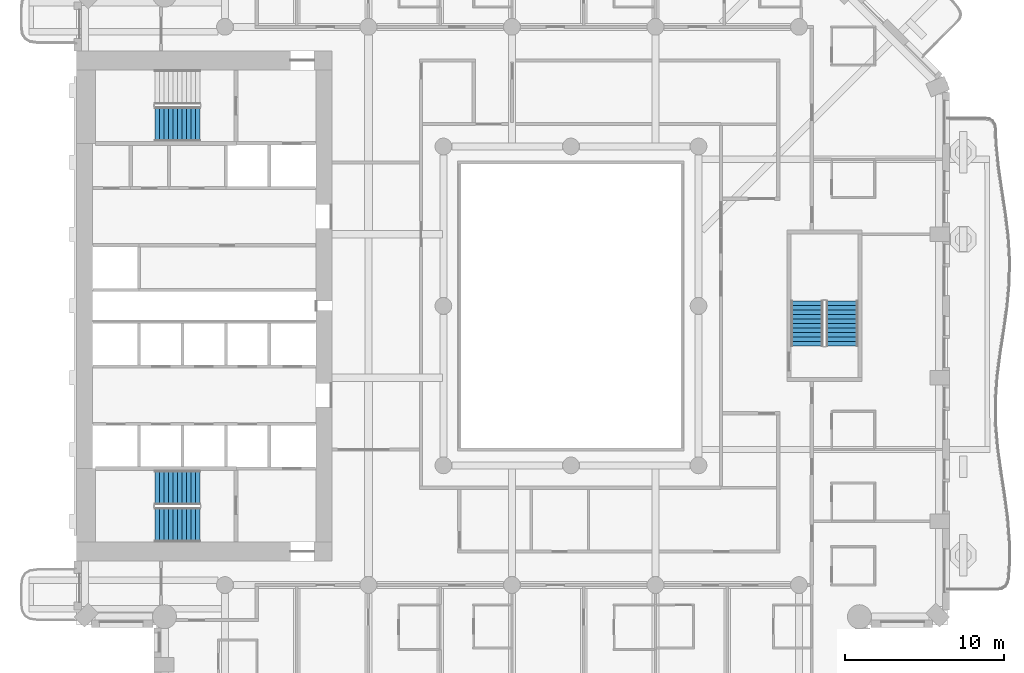
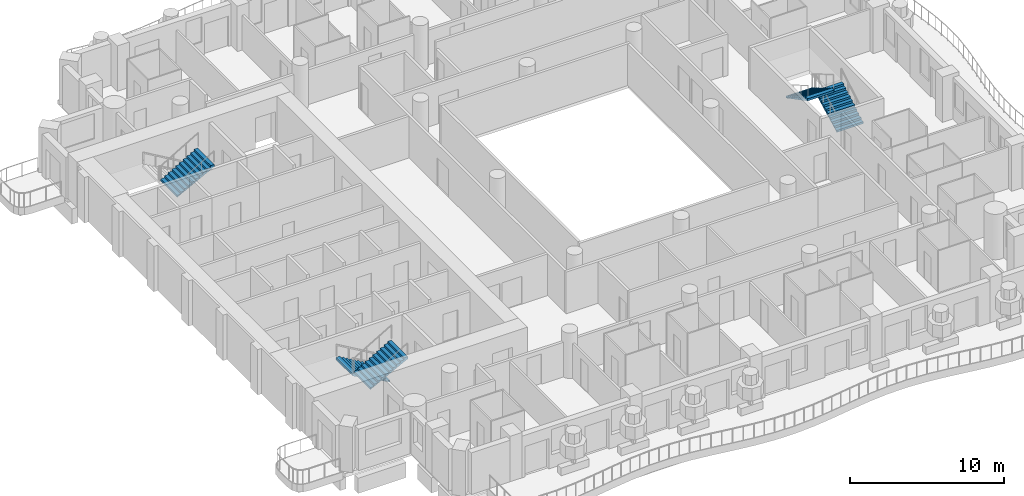
# One storey, part 11 of 20: 5 stair flights, 3 elements without a shape of their own.
"""IFC4 building model written with IfcOpenShell, lengths in metres."""

import ifcopenshell
import ifcopenshell.guid

model = None  # the IFC model being written
_history = None  # IfcOwnerHistory: only IFC2X3 demands one
_inside = {}  # id of a spatial element -> (the spatial element, [elements in it])
_under = {}  # id of a project, library or spatial element -> (it, [spatial elements below it])
_declared = {}  # id of a project -> (the project, [libraries it declares])
_typed = {}  # id of a type object -> (the type object, [elements of that type])
_made_of = {}  # id of a material, layer set ... -> (it, [elements and type objects made of it])


def new_model(schema):
    """Start an empty IFC model of exactly this schema.

    Asked for "IFC4X3", IfcOpenShell would pick the latest addendum, in which some entities
    have other attributes; the version numbers below select the first issue.
    IFC2X3 requires an IfcOwnerHistory on every rooted entity: one is made here for all.
    """
    global model, _history
    if schema == "IFC4X3":
        model = ifcopenshell.file(schema_version=(4, 3, 0, 0))
    else:
        model = ifcopenshell.file(schema=schema)
    _inside.clear()
    _under.clear()
    _declared.clear()
    _typed.clear()
    _made_of.clear()
    _history = None
    if model.schema == "IFC2X3":
        org = make("IfcOrganization", Name="unknown")
        user = make(
            "IfcPersonAndOrganization",
            ThePerson=make("IfcPerson", FamilyName="unknown"),
            TheOrganization=org,
        )
        app = make(
            "IfcApplication",
            ApplicationDeveloper=org,
            Version="unknown",
            ApplicationFullName="unknown",
            ApplicationIdentifier="unknown",
        )
        _history = make(
            "IfcOwnerHistory",
            OwningUser=user,
            OwningApplication=app,
            ChangeAction="ADDED",
            CreationDate=0,
        )
    return model


def make(cls, **values):
    """One entity of the class cls with the attributes given. An attribute that is None is left unset."""
    return model.create_entity(
        cls, **{name: value for name, value in values.items() if value is not None}
    )


def rooted(cls, **values):
    """An entity with a GlobalId (a new one), such as an element, a storey or a relation."""
    return make(cls, GlobalId=ifcopenshell.guid.new(), OwnerHistory=_history, **values)


def si_unit(unit_type, name, prefix=None):
    """IfcSIUnit, for example si_unit("LENGTHUNIT", "METRE", prefix="MILLI")."""
    return make("IfcSIUnit", UnitType=unit_type, Prefix=prefix, Name=name)


def assignment(units):
    """IfcUnitAssignment: the units of a project."""
    return None if units is None else make("IfcUnitAssignment", Units=units)


def point(xyz):
    """IfcCartesianPoint."""
    return None if xyz is None else make("IfcCartesianPoint", Coordinates=xyz)


def direction(xyz):
    """IfcDirection."""
    return None if xyz is None else make("IfcDirection", DirectionRatios=xyz)


def frame(location, z_axis=None, x_axis=None):
    """IfcAxis2Placement3D, a coordinate frame: its origin and axes. An axis left out is left unset."""
    return make(
        "IfcAxis2Placement3D",
        Location=point(location),
        Axis=direction(z_axis),
        RefDirection=direction(x_axis),
    )


def origin():
    """The frame at (0, 0, 0) with its axes left unset."""
    return frame((0.0, 0.0, 0.0))


def place(relative_to, where):
    """IfcLocalPlacement: puts the frame where relative to a parent placement (None: the world)."""
    return make(
        "IfcLocalPlacement", PlacementRelTo=relative_to, RelativePlacement=where
    )


def context(
    kind, dimensions, precision=None, world=None, true_north=None, identifier=None
):
    """IfcGeometricRepresentationContext, for example the 3D "Model" context."""
    return make(
        "IfcGeometricRepresentationContext",
        ContextIdentifier=identifier,
        ContextType=kind,
        CoordinateSpaceDimension=dimensions,
        Precision=precision,
        WorldCoordinateSystem=world,
        TrueNorth=true_north,
    )


def subcontext(parent, identifier, kind, view, scale=None):
    """IfcGeometricRepresentationSubContext, for example "Body" below "Model"."""
    return make(
        "IfcGeometricRepresentationSubContext",
        ContextIdentifier=identifier,
        ContextType=kind,
        ParentContext=parent,
        TargetScale=scale,
        TargetView=view,
    )


def project(units=None, contexts=None):
    """IfcProject with its units and contexts."""
    return rooted(
        "IfcProject",
        Name="project",
        RepresentationContexts=contexts,
        UnitsInContext=assignment(units),
    )


def spatial(cls, under=None, at=None, **own):
    """A site, building, storey or space (cls), placed at a placement, below another one or the project."""
    s = rooted(cls, ObjectPlacement=at, **own)
    if under is not None:
        _under.setdefault(under.id(), (under, []))[1].append(s)
    return s


def point_list(points):
    """IfcCartesianPointList2D or 3D."""
    cls = (
        "IfcCartesianPointList2D" if len(points[0]) == 2 else "IfcCartesianPointList3D"
    )
    return make(cls, CoordList=points)


def triangles(points, corners, closed=None, point_numbers=None):
    """IfcTriangulatedFaceSet: each triangle names its three corners, points numbered from 1."""
    return make(
        "IfcTriangulatedFaceSet",
        Coordinates=point_list(points),
        Closed=closed,
        CoordIndex=corners,
        PnIndex=point_numbers,
    )


def shape(context_of_items, identifier, shape_type, items):
    """IfcShapeRepresentation: the items that make up one representation, for example the "Body"."""
    return make(
        "IfcShapeRepresentation",
        ContextOfItems=context_of_items,
        RepresentationIdentifier=identifier,
        RepresentationType=shape_type,
        Items=items,
    )


def material(Name=None, Category=None):
    """IfcMaterial."""
    return make("IfcMaterial", Name=Name, Category=Category)


def made_of(thing, what):
    """Note that an element or type object is made of a material, layer set ...; save() writes the relation."""
    if what is not None:
        _made_of.setdefault(what.id(), (what, []))[1].append(thing)
    return thing


def type_object(cls, material=None, **own):
    """A type object (cls), such as IfcWallType, which elements share."""
    return made_of(rooted(cls, **own), material)


def element(
    cls,
    number,
    at=None,
    inside=None,
    cuts=None,
    type_object=None,
    material=None,
    context=None,
    identifier="Body",
    shape_type=None,
    held_by="IfcProductDefinitionShape",
    body=None,
    shapes=None,
    **own,
):
    """One element of the class cls, such as IfcWall. Its Tag is "e" and its number.

    at: its placement. inside: the storey or other place that contains it. cuts: it is an
    opening in that element (IfcRelVoidsElement). A single representation is given by context,
    identifier, shape_type and body (its items); several are given by shapes. held_by: the class
    of the entity that holds the representations. save() writes the other relations.
    """
    e = rooted(cls, Tag="e%d" % number, ObjectPlacement=at, **own)
    if body is not None:
        shapes = [shape(context, identifier, shape_type, body)]
    if shapes is not None:
        e.Representation = make(held_by, Representations=shapes)
    if inside is not None:
        _inside.setdefault(inside.id(), (inside, []))[1].append(e)
    if cuts is not None:
        rooted(
            "IfcRelVoidsElement", RelatingBuildingElement=cuts, RelatedOpeningElement=e
        )
    if type_object is not None:
        _typed.setdefault(type_object.id(), (type_object, []))[1].append(e)
    return made_of(e, material)


def aggregate(whole, parts):
    """IfcRelAggregates: a whole, such as a stair, and the parts it consists of."""
    return rooted("IfcRelAggregates", RelatingObject=whole, RelatedObjects=parts)


def save(model, path):
    """Write the relations noted so far, then the file.

    IfcRelAggregates (storeys below a building ...), IfcRelContainedInSpatialStructure (elements
    in a storey), IfcRelDefinesByType, IfcRelAssociatesMaterial and IfcRelDeclares: one each for
    every whole, place, type object, material and project.
    """
    for whole, parts in _under.values():
        aggregate(whole, parts)
    for where, things in _inside.values():
        rooted(
            "IfcRelContainedInSpatialStructure",
            RelatedElements=things,
            RelatingStructure=where,
        )
    for kind, things in _typed.values():
        rooted("IfcRelDefinesByType", RelatedObjects=things, RelatingType=kind)
    for what, things in _made_of.values():
        rooted("IfcRelAssociatesMaterial", RelatedObjects=things, RelatingMaterial=what)
    for by, libraries in _declared.values():
        rooted("IfcRelDeclares", RelatingContext=by, RelatedDefinitions=libraries)
    model.write(path)


model = new_model("IFC4")

# Units and contexts
model_context = context("Model", 3, precision=1e-05, world=origin(), true_north=direction((0.0, 1.0)))
body_context = subcontext(model_context, "Body", "Model", "MODEL_VIEW")
ifc_project = project(units=[si_unit("LENGTHUNIT", "METRE"), si_unit("AREAUNIT", "SQUARE_METRE"), si_unit("VOLUMEUNIT", "CUBIC_METRE"), si_unit("PLANEANGLEUNIT", "RADIAN"), si_unit("MASSUNIT", "GRAM", prefix="KILO")], contexts=[model_context])

# Site, building, storey
site_placement = place(None, origin())
site = spatial("IfcSite", under=ifc_project, at=site_placement, CompositionType="ELEMENT")
building_placement = place(site_placement, origin())
building = spatial("IfcBuilding", under=site, at=building_placement, Name="Cypress Arch Tower", CompositionType="ELEMENT")
storey_placement = place(building_placement, frame((0.0, 0.0, 116.699951171875)))
storey = spatial("IfcBuildingStorey", under=building, at=storey_placement, Name="L24", CompositionType="ELEMENT", Elevation=116.699951171875)

# Stair, stair flights
ifc_material_1 = material(Name="Concrete C40/50", Category="concrete")
stair_type_1 = type_object("IfcStairType", Name="Exit stair ES1636-200", PredefinedType="HALF_TURN_STAIR", material=ifc_material_1)
stair_1_placement = place(storey_placement, origin())
stair_1 = element("IfcStair", 1, at=stair_1_placement, inside=storey, type_object=stair_type_1, Name="L24 Exit stair C", PredefinedType="HALF_TURN_STAIR")
ifc_material_2 = material(Name="Concrete C40/50", Category="concrete")
stair_flight_type_1 = type_object("IfcStairFlightType", Name="Exit stair flight ES1636-200", PredefinedType="STRAIGHT", material=ifc_material_2)
stair_flight_1_placement = place(storey_placement, frame((18.0, -2.5, 0.0), z_axis=(0.0, 0.0, 1.0), x_axis=(0.0, 1.0, 0.0)))
stair_flight_1 = element("IfcStairFlight", 2, at=stair_flight_1_placement, type_object=stair_flight_type_1, Name="C flight 1", NumberOfRisers=11, NumberOfTreads=10, PredefinedType="STRAIGHT", RiserHeight=0.163636364, TreadLength=0.28, context=body_context, shape_type="Tessellation", body=[
    triangles([(0.0, -1.0, 0.0), (0.00048828125, -1.0, 0.054443359375), (0.00048828125, -1.0, 0.109130859375), (0.0, -1.0, 0.16357421875), (0.280029296875, -1.0, 0.16357421875), (0.280029296875, -1.0, 0.327392578125), (0.56005859375, -1.0, 0.327392578125), (0.56005859375, -1.0, 0.490966796875), (0.840087890625, -1.0, 0.490966796875), (0.840087890625, -1.0, 0.654541015625), (1.1201171875, -1.0, 0.654541015625), (1.1201171875, -1.0, 0.818115234375), (1.39990234375, -1.0, 0.818115234375), (1.39990234375, -1.0, 0.98193359375), (1.679931640625, -1.0, 0.98193359375), (1.679931640625, -1.0, 1.1455078125), (1.9599609375, -1.0, 1.1455078125), (1.9599609375, -1.0, 1.30908203125), (2.239990234375, -1.0, 1.30908203125), (2.239990234375, -1.0, 1.47265625), (2.52001953125, -1.0, 1.47265625), (2.52001953125, -1.0, 1.636474609375), (2.800048828125, -1.0, 1.636474609375), (2.799560546875, -1.0, 1.57861328125), (2.799560546875, -1.0, 1.5205078125), (2.800048828125, -1.0, 1.462646484375), (2.800048828125, 1.0, 1.462646484375), (2.799560546875, 1.0, 1.5205078125), (2.799560546875, 1.0, 1.57861328125), (2.800048828125, 1.0, 1.636474609375), (2.52001953125, 1.0, 1.636474609375), (2.52001953125, 1.0, 1.47265625), (2.239990234375, 1.0, 1.47265625), (2.239990234375, 1.0, 1.30908203125), (1.9599609375, 1.0, 1.30908203125), (1.9599609375, 1.0, 1.1455078125), (1.679931640625, 1.0, 1.1455078125), (1.679931640625, 1.0, 0.98193359375), (1.39990234375, 1.0, 0.98193359375), (1.39990234375, 1.0, 0.818115234375), (1.1201171875, 1.0, 0.818115234375), (1.1201171875, 1.0, 0.654541015625), (0.840087890625, 1.0, 0.654541015625), (0.840087890625, 1.0, 0.490966796875), (0.56005859375, 1.0, 0.490966796875), (0.56005859375, 1.0, 0.327392578125), (0.280029296875, 1.0, 0.327392578125), (0.280029296875, 1.0, 0.16357421875), (0.0, 1.0, 0.16357421875), (0.00048828125, 1.0, 0.109130859375), (0.00048828125, 1.0, 0.054443359375), (0.0, 1.0, 0.0), (2.799560546875, 0.0, 1.5205078125), (2.800048828125, 0.0, 1.462646484375), (2.799560546875, 0.0, 1.57861328125), (2.800048828125, 0.0, 1.636474609375), (2.52001953125, 0.0, 1.636474609375), (2.52001953125, 0.0, 1.47265625), (2.239990234375, 0.0, 1.47265625), (2.239990234375, 0.0, 1.30908203125), (1.9599609375, 0.0, 1.30908203125), (1.9599609375, 0.0, 1.1455078125), (1.679931640625, 0.0, 1.1455078125), (1.679931640625, 0.0, 0.98193359375), (1.39990234375, 0.0, 0.98193359375), (1.39990234375, 0.0, 0.818115234375), (1.1201171875, 0.0, 0.818115234375), (1.1201171875, 0.0, 0.654541015625), (0.840087890625, 0.0, 0.654541015625), (0.840087890625, 0.0, 0.490966796875), (0.56005859375, 0.0, 0.490966796875), (0.56005859375, 0.0, 0.327392578125), (0.280029296875, 0.0, 0.327392578125), (0.280029296875, 0.0, 0.16357421875), (0.0, 0.0, 0.16357421875), (0.00048828125, 0.0, 0.109130859375), (0.00048828125, 0.0, 0.054443359375), (0.0, 0.0, 0.0)], [[26, 25, 22], [25, 24, 22], [24, 23, 22], [15, 14, 13], [7, 6, 5], [13, 12, 11], [21, 20, 19], [19, 18, 17], [17, 16, 15], [11, 10, 9], [9, 8, 7], [4, 3, 5], [3, 2, 5], [2, 1, 5], [26, 22, 21], [26, 21, 19], [26, 19, 17], [26, 17, 15], [26, 15, 13], [26, 13, 11], [26, 11, 9], [26, 9, 7], [26, 7, 5], [26, 5, 1], [27, 31, 28], [28, 31, 29], [29, 31, 30], [38, 40, 39], [46, 48, 47], [40, 42, 41], [32, 34, 33], [34, 36, 35], [36, 38, 37], [42, 44, 43], [44, 46, 45], [49, 48, 50], [50, 48, 51], [51, 48, 52], [27, 32, 31], [27, 34, 32], [27, 36, 34], [27, 38, 36], [27, 40, 38], [27, 42, 40], [27, 44, 42], [27, 46, 44], [27, 48, 46], [27, 52, 48], [54, 53, 25], [54, 25, 26], [27, 28, 53], [27, 53, 54], [53, 55, 24], [53, 24, 25], [28, 29, 55], [28, 55, 53], [55, 56, 23], [55, 23, 24], [29, 30, 56], [29, 56, 55], [56, 57, 22], [56, 22, 23], [30, 31, 57], [30, 57, 56], [57, 58, 21], [57, 21, 22], [31, 32, 58], [31, 58, 57], [58, 59, 20], [58, 20, 21], [32, 33, 59], [32, 59, 58], [59, 60, 19], [59, 19, 20], [33, 34, 60], [33, 60, 59], [60, 61, 18], [60, 18, 19], [34, 35, 61], [34, 61, 60], [61, 62, 17], [61, 17, 18], [35, 36, 62], [35, 62, 61], [62, 63, 16], [62, 16, 17], [36, 37, 63], [36, 63, 62], [63, 64, 15], [63, 15, 16], [37, 38, 64], [37, 64, 63], [64, 65, 14], [64, 14, 15], [38, 39, 65], [38, 65, 64], [65, 66, 13], [65, 13, 14], [39, 40, 66], [39, 66, 65], [66, 67, 12], [66, 12, 13], [40, 41, 67], [40, 67, 66], [67, 68, 11], [67, 11, 12], [41, 42, 68], [41, 68, 67], [68, 69, 10], [68, 10, 11], [42, 43, 69], [42, 69, 68], [69, 70, 9], [69, 9, 10], [43, 44, 70], [43, 70, 69], [70, 71, 8], [70, 8, 9], [44, 45, 71], [44, 71, 70], [71, 72, 7], [71, 7, 8], [45, 46, 72], [45, 72, 71], [72, 73, 6], [72, 6, 7], [46, 47, 73], [46, 73, 72], [73, 74, 5], [73, 5, 6], [47, 48, 74], [47, 74, 73], [74, 75, 4], [74, 4, 5], [48, 49, 75], [48, 75, 74], [75, 76, 3], [75, 3, 4], [49, 50, 76], [49, 76, 75], [76, 77, 2], [76, 2, 3], [50, 51, 77], [50, 77, 76], [77, 78, 1], [77, 1, 2], [51, 52, 78], [51, 78, 77], [78, 54, 26], [78, 26, 1], [52, 27, 54], [52, 54, 78]], closed=True),
])
stair_flight_2_placement = place(storey_placement, frame((15.800048828125, 0.300048828125, 1.800048828125), z_axis=(0.0, 0.0, 1.0), x_axis=(0.0, -1.0, 0.0)))
stair_flight_2 = element("IfcStairFlight", 3, at=stair_flight_2_placement, type_object=stair_flight_type_1, Name="C flight 2", NumberOfRisers=11, NumberOfTreads=10, PredefinedType="STRAIGHT", RiserHeight=0.163636364, TreadLength=0.28, context=body_context, shape_type="Tessellation", body=[
    triangles([(0.0, -1.0, 0.0), (0.00048828125, -1.0, 0.054443359375), (0.00048828125, -1.0, 0.109130859375), (0.0, -1.0, 0.16357421875), (0.280029296875, -1.0, 0.16357421875), (0.280029296875, -1.0, 0.327392578125), (0.56005859375, -1.0, 0.327392578125), (0.56005859375, -1.0, 0.490966796875), (0.840087890625, -1.0, 0.490966796875), (0.840087890625, -1.0, 0.654541015625), (1.1201171875, -1.0, 0.654541015625), (1.1201171875, -1.0, 0.818115234375), (1.39990234375, -1.0, 0.818115234375), (1.39990234375, -1.0, 0.98193359375), (1.679931640625, -1.0, 0.98193359375), (1.679931640625, -1.0, 1.1455078125), (1.9599609375, -1.0, 1.1455078125), (1.9599609375, -1.0, 1.30908203125), (2.239990234375, -1.0, 1.30908203125), (2.239990234375, -1.0, 1.47265625), (2.52001953125, -1.0, 1.47265625), (2.52001953125, -1.0, 1.636474609375), (2.800048828125, -1.0, 1.636474609375), (2.799560546875, -1.0, 1.57861328125), (2.799560546875, -1.0, 1.5205078125), (2.800048828125, -1.0, 1.462646484375), (2.800048828125, 1.0, 1.462646484375), (2.799560546875, 1.0, 1.5205078125), (2.799560546875, 1.0, 1.57861328125), (2.800048828125, 1.0, 1.636474609375), (2.52001953125, 1.0, 1.636474609375), (2.52001953125, 1.0, 1.47265625), (2.239990234375, 1.0, 1.47265625), (2.239990234375, 1.0, 1.30908203125), (1.9599609375, 1.0, 1.30908203125), (1.9599609375, 1.0, 1.1455078125), (1.679931640625, 1.0, 1.1455078125), (1.679931640625, 1.0, 0.98193359375), (1.39990234375, 1.0, 0.98193359375), (1.39990234375, 1.0, 0.818115234375), (1.1201171875, 1.0, 0.818115234375), (1.1201171875, 1.0, 0.654541015625), (0.840087890625, 1.0, 0.654541015625), (0.840087890625, 1.0, 0.490966796875), (0.56005859375, 1.0, 0.490966796875), (0.56005859375, 1.0, 0.327392578125), (0.280029296875, 1.0, 0.327392578125), (0.280029296875, 1.0, 0.16357421875), (0.0, 1.0, 0.16357421875), (0.00048828125, 1.0, 0.109130859375), (0.00048828125, 1.0, 0.054443359375), (0.0, 1.0, 0.0), (2.799560546875, 0.0, 1.5205078125), (2.800048828125, 0.0, 1.462646484375), (2.799560546875, 0.0, 1.57861328125), (2.800048828125, 0.0, 1.636474609375), (2.52001953125, 0.0, 1.636474609375), (2.52001953125, 0.0, 1.47265625), (2.239990234375, 0.0, 1.47265625), (2.239990234375, 0.0, 1.30908203125), (1.9599609375, 0.0, 1.30908203125), (1.9599609375, 0.0, 1.1455078125), (1.679931640625, 0.0, 1.1455078125), (1.679931640625, 0.0, 0.98193359375), (1.39990234375, 0.0, 0.98193359375), (1.39990234375, 0.0, 0.818115234375), (1.1201171875, 0.0, 0.818115234375), (1.1201171875, 0.0, 0.654541015625), (0.840087890625, 0.0, 0.654541015625), (0.840087890625, 0.0, 0.490966796875), (0.56005859375, 0.0, 0.490966796875), (0.56005859375, 0.0, 0.327392578125), (0.280029296875, 0.0, 0.327392578125), (0.280029296875, 0.0, 0.16357421875), (0.0, 0.0, 0.16357421875), (0.00048828125, 0.0, 0.109130859375), (0.00048828125, 0.0, 0.054443359375), (0.0, 0.0, 0.0)], [[26, 25, 22], [25, 24, 22], [24, 23, 22], [15, 14, 13], [7, 6, 5], [13, 12, 11], [21, 20, 19], [19, 18, 17], [17, 16, 15], [11, 10, 9], [9, 8, 7], [4, 3, 5], [3, 2, 5], [2, 1, 5], [26, 22, 21], [26, 21, 19], [26, 19, 17], [26, 17, 15], [26, 15, 13], [26, 13, 11], [26, 11, 9], [26, 9, 7], [26, 7, 5], [26, 5, 1], [27, 31, 28], [28, 31, 29], [29, 31, 30], [38, 40, 39], [46, 48, 47], [40, 42, 41], [32, 34, 33], [34, 36, 35], [36, 38, 37], [42, 44, 43], [44, 46, 45], [49, 48, 50], [50, 48, 51], [51, 48, 52], [27, 32, 31], [27, 34, 32], [27, 36, 34], [27, 38, 36], [27, 40, 38], [27, 42, 40], [27, 44, 42], [27, 46, 44], [27, 48, 46], [27, 52, 48], [54, 53, 25], [54, 25, 26], [27, 28, 53], [27, 53, 54], [53, 55, 24], [53, 24, 25], [28, 29, 55], [28, 55, 53], [55, 56, 23], [55, 23, 24], [29, 30, 56], [29, 56, 55], [56, 57, 22], [56, 22, 23], [30, 31, 57], [30, 57, 56], [57, 58, 21], [57, 21, 22], [31, 32, 58], [31, 58, 57], [58, 59, 20], [58, 20, 21], [32, 33, 59], [32, 59, 58], [59, 60, 19], [59, 19, 20], [33, 34, 60], [33, 60, 59], [60, 61, 18], [60, 18, 19], [34, 35, 61], [34, 61, 60], [61, 62, 17], [61, 17, 18], [35, 36, 62], [35, 62, 61], [62, 63, 16], [62, 16, 17], [36, 37, 63], [36, 63, 62], [63, 64, 15], [63, 15, 16], [37, 38, 64], [37, 64, 63], [64, 65, 14], [64, 14, 15], [38, 39, 65], [38, 65, 64], [65, 66, 13], [65, 13, 14], [39, 40, 66], [39, 66, 65], [66, 67, 12], [66, 12, 13], [40, 41, 67], [40, 67, 66], [67, 68, 11], [67, 11, 12], [41, 42, 68], [41, 68, 67], [68, 69, 10], [68, 10, 11], [42, 43, 69], [42, 69, 68], [69, 70, 9], [69, 9, 10], [43, 44, 70], [43, 70, 69], [70, 71, 8], [70, 8, 9], [44, 45, 71], [44, 71, 70], [71, 72, 7], [71, 7, 8], [45, 46, 72], [45, 72, 71], [72, 73, 6], [72, 6, 7], [46, 47, 73], [46, 73, 72], [73, 74, 5], [73, 5, 6], [47, 48, 74], [47, 74, 73], [74, 75, 4], [74, 4, 5], [48, 49, 75], [48, 75, 74], [75, 76, 3], [75, 3, 4], [49, 50, 76], [49, 76, 75], [76, 77, 2], [76, 2, 3], [50, 51, 77], [50, 77, 76], [77, 78, 1], [77, 1, 2], [51, 52, 78], [51, 78, 77], [78, 54, 26], [78, 26, 1], [52, 27, 54], [52, 54, 78]], closed=True),
])
aggregate(stair_1, [stair_flight_1, stair_flight_2])

ifc_material_3 = material(Name="Concrete C40/50", Category="concrete")
stair_type_2 = type_object("IfcStairType", Name="Exit stair ES1636-215", PredefinedType="HALF_TURN_STAIR", material=ifc_material_3)
stair_2_placement = place(storey_placement, origin())
stair_2 = element("IfcStair", 4, at=stair_2_placement, inside=storey, type_object=stair_type_2, Name="L24 Exit stair A", PredefinedType="HALF_TURN_STAIR")
ifc_material_4 = material(Name="Concrete C40/50", Category="concrete")
stair_flight_type_2 = type_object("IfcStairFlightType", Name="Exit stair flight ES1636-215", PredefinedType="STRAIGHT", material=ifc_material_4)
stair_flight_3_placement = place(storey_placement, frame((-22.27490234375, -11.39990234375, 0.0), z_axis=(0.0, 0.0, 1.0), x_axis=(-1.0, 0.0, 0.0)))
stair_flight_3 = element("IfcStairFlight", 5, at=stair_flight_3_placement, type_object=stair_flight_type_2, Name="A flight 1", NumberOfRisers=11, NumberOfTreads=10, PredefinedType="STRAIGHT", RiserHeight=0.163636364, TreadLength=0.28, context=body_context, shape_type="Tessellation", body=[
    triangles([(0.0, -1.074951171875, 0.0), (0.000244140625, -1.074951171875, 0.03271484375), (0.00048828125, -1.074951171875, 0.0654296875), (0.00048828125, -1.074951171875, 0.09814453125), (0.000244140625, -1.074951171875, 0.130859375), (0.0, -1.074951171875, 0.16357421875), (0.280029296875, -1.074951171875, 0.16357421875), (0.280029296875, -1.074951171875, 0.327392578125), (0.56005859375, -1.074951171875, 0.327392578125), (0.56005859375, -1.074951171875, 0.490966796875), (0.840087890625, -1.074951171875, 0.490966796875), (0.840087890625, -1.074951171875, 0.654541015625), (1.1201171875, -1.074951171875, 0.654541015625), (1.1201171875, -1.074951171875, 0.818115234375), (1.39990234375, -1.074951171875, 0.818115234375), (1.39990234375, -1.074951171875, 0.98193359375), (1.679931640625, -1.074951171875, 0.98193359375), (1.679931640625, -1.074951171875, 1.1455078125), (1.9599609375, -1.074951171875, 1.1455078125), (1.9599609375, -1.074951171875, 1.30908203125), (2.239990234375, -1.074951171875, 1.30908203125), (2.239990234375, -1.074951171875, 1.47265625), (2.52001953125, -1.074951171875, 1.47265625), (2.52001953125, -1.074951171875, 1.636474609375), (2.800048828125, -1.074951171875, 1.636474609375), (2.7998046875, -1.074951171875, 1.601806640625), (2.799560546875, -1.074951171875, 1.56689453125), (2.799560546875, -1.074951171875, 1.5322265625), (2.7998046875, -1.074951171875, 1.497314453125), (2.800048828125, -1.074951171875, 1.462646484375), (2.800048828125, 1.074951171875, 1.462646484375), (2.7998046875, 1.074951171875, 1.497314453125), (2.799560546875, 1.074951171875, 1.5322265625), (2.799560546875, 1.074951171875, 1.56689453125), (2.7998046875, 1.074951171875, 1.601806640625), (2.800048828125, 1.074951171875, 1.636474609375), (2.52001953125, 1.074951171875, 1.636474609375), (2.52001953125, 1.074951171875, 1.47265625), (2.239990234375, 1.074951171875, 1.47265625), (2.239990234375, 1.074951171875, 1.30908203125), (1.9599609375, 1.074951171875, 1.30908203125), (1.9599609375, 1.074951171875, 1.1455078125), (1.679931640625, 1.074951171875, 1.1455078125), (1.679931640625, 1.074951171875, 0.98193359375), (1.39990234375, 1.074951171875, 0.98193359375), (1.39990234375, 1.074951171875, 0.818115234375), (1.1201171875, 1.074951171875, 0.818115234375), (1.1201171875, 1.074951171875, 0.654541015625), (0.840087890625, 1.074951171875, 0.654541015625), (0.840087890625, 1.074951171875, 0.490966796875), (0.56005859375, 1.074951171875, 0.490966796875), (0.56005859375, 1.074951171875, 0.327392578125), (0.280029296875, 1.074951171875, 0.327392578125), (0.280029296875, 1.074951171875, 0.16357421875), (0.0, 1.074951171875, 0.16357421875), (0.000244140625, 1.074951171875, 0.130859375), (0.00048828125, 1.074951171875, 0.09814453125), (0.00048828125, 1.074951171875, 0.0654296875), (0.000244140625, 1.074951171875, 0.03271484375), (0.0, 1.074951171875, 0.0), (2.7998046875, 0.0, 1.497314453125), (2.800048828125, 0.0, 1.462646484375), (2.799560546875, 0.0, 1.5322265625), (2.799560546875, 0.0, 1.56689453125), (2.7998046875, 0.0, 1.601806640625), (2.800048828125, 0.0, 1.636474609375), (2.52001953125, 0.0, 1.636474609375), (2.52001953125, 0.0, 1.47265625), (2.239990234375, 0.0, 1.47265625), (2.239990234375, 0.0, 1.30908203125), (1.9599609375, 0.0, 1.30908203125), (1.9599609375, 0.0, 1.1455078125), (1.679931640625, 0.0, 1.1455078125), (1.679931640625, 0.0, 0.98193359375), (1.39990234375, 0.0, 0.98193359375), (1.39990234375, 0.0, 0.818115234375), (1.1201171875, 0.0, 0.818115234375), (1.1201171875, 0.0, 0.654541015625), (0.840087890625, 0.0, 0.654541015625), (0.840087890625, 0.0, 0.490966796875), (0.56005859375, 0.0, 0.490966796875), (0.56005859375, 0.0, 0.327392578125), (0.280029296875, 0.0, 0.327392578125), (0.280029296875, 0.0, 0.16357421875), (0.0, 0.0, 0.16357421875), (0.000244140625, 0.0, 0.130859375), (0.00048828125, 0.0, 0.09814453125), (0.00048828125, 0.0, 0.0654296875), (0.000244140625, 0.0, 0.03271484375), (0.0, 0.0, 0.0)], [[30, 29, 24], [29, 28, 24], [28, 27, 24], [27, 26, 24], [26, 25, 24], [17, 16, 15], [9, 8, 7], [15, 14, 13], [23, 22, 21], [21, 20, 19], [19, 18, 17], [13, 12, 11], [11, 10, 9], [6, 5, 7], [5, 4, 7], [4, 3, 7], [3, 2, 7], [2, 1, 7], [30, 24, 23], [30, 23, 21], [30, 21, 19], [30, 19, 17], [30, 17, 15], [30, 15, 13], [30, 13, 11], [30, 11, 9], [30, 9, 7], [30, 7, 1], [31, 37, 32], [32, 37, 33], [33, 37, 34], [34, 37, 35], [35, 37, 36], [44, 46, 45], [52, 54, 53], [46, 48, 47], [38, 40, 39], [40, 42, 41], [42, 44, 43], [48, 50, 49], [50, 52, 51], [55, 54, 56], [56, 54, 57], [57, 54, 58], [58, 54, 59], [59, 54, 60], [31, 38, 37], [31, 40, 38], [31, 42, 40], [31, 44, 42], [31, 46, 44], [31, 48, 46], [31, 50, 48], [31, 52, 50], [31, 54, 52], [31, 60, 54], [62, 61, 29], [62, 29, 30], [31, 32, 61], [31, 61, 62], [61, 63, 28], [61, 28, 29], [32, 33, 63], [32, 63, 61], [63, 64, 27], [63, 27, 28], [33, 34, 64], [33, 64, 63], [64, 65, 26], [64, 26, 27], [34, 35, 65], [34, 65, 64], [65, 66, 25], [65, 25, 26], [35, 36, 66], [35, 66, 65], [66, 67, 24], [66, 24, 25], [36, 37, 67], [36, 67, 66], [67, 68, 23], [67, 23, 24], [37, 38, 68], [37, 68, 67], [68, 69, 22], [68, 22, 23], [38, 39, 69], [38, 69, 68], [69, 70, 21], [69, 21, 22], [39, 40, 70], [39, 70, 69], [70, 71, 20], [70, 20, 21], [40, 41, 71], [40, 71, 70], [71, 72, 19], [71, 19, 20], [41, 42, 72], [41, 72, 71], [72, 73, 18], [72, 18, 19], [42, 43, 73], [42, 73, 72], [73, 74, 17], [73, 17, 18], [43, 44, 74], [43, 74, 73], [74, 75, 16], [74, 16, 17], [44, 45, 75], [44, 75, 74], [75, 76, 15], [75, 15, 16], [45, 46, 76], [45, 76, 75], [76, 77, 14], [76, 14, 15], [46, 47, 77], [46, 77, 76], [77, 78, 13], [77, 13, 14], [47, 48, 78], [47, 78, 77], [78, 79, 12], [78, 12, 13], [48, 49, 79], [48, 79, 78], [79, 80, 11], [79, 11, 12], [49, 50, 80], [49, 80, 79], [80, 81, 10], [80, 10, 11], [50, 51, 81], [50, 81, 80], [81, 82, 9], [81, 9, 10], [51, 52, 82], [51, 82, 81], [82, 83, 8], [82, 8, 9], [52, 53, 83], [52, 83, 82], [83, 84, 7], [83, 7, 8], [53, 54, 84], [53, 84, 83], [84, 85, 6], [84, 6, 7], [54, 55, 85], [54, 85, 84], [85, 86, 5], [85, 5, 6], [55, 56, 86], [55, 86, 85], [86, 87, 4], [86, 4, 5], [56, 57, 87], [56, 87, 86], [87, 88, 3], [87, 3, 4], [57, 58, 88], [57, 88, 87], [88, 89, 2], [88, 2, 3], [58, 59, 89], [58, 89, 88], [89, 90, 1], [89, 1, 2], [59, 60, 90], [59, 90, 89], [90, 62, 30], [90, 30, 1], [60, 31, 62], [60, 62, 90]], closed=True),
])
stair_flight_4_placement = place(storey_placement, frame((-25.074951171875, -13.72509765625, 1.800048828125), z_axis=(0.0, 0.0, 1.0), x_axis=(1.0, 0.0, 0.0)))
stair_flight_4 = element("IfcStairFlight", 6, at=stair_flight_4_placement, type_object=stair_flight_type_2, Name="A flight 2", NumberOfRisers=11, NumberOfTreads=10, PredefinedType="STRAIGHT", RiserHeight=0.163636364, TreadLength=0.28, context=body_context, shape_type="Tessellation", body=[
    triangles([(0.0, -1.074951171875, 0.0), (0.000244140625, -1.074951171875, 0.03271484375), (0.00048828125, -1.074951171875, 0.0654296875), (0.00048828125, -1.074951171875, 0.09814453125), (0.000244140625, -1.074951171875, 0.130859375), (0.0, -1.074951171875, 0.16357421875), (0.280029296875, -1.074951171875, 0.16357421875), (0.280029296875, -1.074951171875, 0.327392578125), (0.56005859375, -1.074951171875, 0.327392578125), (0.56005859375, -1.074951171875, 0.490966796875), (0.840087890625, -1.074951171875, 0.490966796875), (0.840087890625, -1.074951171875, 0.654541015625), (1.1201171875, -1.074951171875, 0.654541015625), (1.1201171875, -1.074951171875, 0.818115234375), (1.39990234375, -1.074951171875, 0.818115234375), (1.39990234375, -1.074951171875, 0.98193359375), (1.679931640625, -1.074951171875, 0.98193359375), (1.679931640625, -1.074951171875, 1.1455078125), (1.9599609375, -1.074951171875, 1.1455078125), (1.9599609375, -1.074951171875, 1.30908203125), (2.239990234375, -1.074951171875, 1.30908203125), (2.239990234375, -1.074951171875, 1.47265625), (2.52001953125, -1.074951171875, 1.47265625), (2.52001953125, -1.074951171875, 1.636474609375), (2.800048828125, -1.074951171875, 1.636474609375), (2.7998046875, -1.074951171875, 1.601806640625), (2.799560546875, -1.074951171875, 1.56689453125), (2.799560546875, -1.074951171875, 1.5322265625), (2.7998046875, -1.074951171875, 1.497314453125), (2.800048828125, -1.074951171875, 1.462646484375), (2.800048828125, 1.074951171875, 1.462646484375), (2.7998046875, 1.074951171875, 1.497314453125), (2.799560546875, 1.074951171875, 1.5322265625), (2.799560546875, 1.074951171875, 1.56689453125), (2.7998046875, 1.074951171875, 1.601806640625), (2.800048828125, 1.074951171875, 1.636474609375), (2.52001953125, 1.074951171875, 1.636474609375), (2.52001953125, 1.074951171875, 1.47265625), (2.239990234375, 1.074951171875, 1.47265625), (2.239990234375, 1.074951171875, 1.30908203125), (1.9599609375, 1.074951171875, 1.30908203125), (1.9599609375, 1.074951171875, 1.1455078125), (1.679931640625, 1.074951171875, 1.1455078125), (1.679931640625, 1.074951171875, 0.98193359375), (1.39990234375, 1.074951171875, 0.98193359375), (1.39990234375, 1.074951171875, 0.818115234375), (1.1201171875, 1.074951171875, 0.818115234375), (1.1201171875, 1.074951171875, 0.654541015625), (0.840087890625, 1.074951171875, 0.654541015625), (0.840087890625, 1.074951171875, 0.490966796875), (0.56005859375, 1.074951171875, 0.490966796875), (0.56005859375, 1.074951171875, 0.327392578125), (0.280029296875, 1.074951171875, 0.327392578125), (0.280029296875, 1.074951171875, 0.16357421875), (0.0, 1.074951171875, 0.16357421875), (0.000244140625, 1.074951171875, 0.130859375), (0.00048828125, 1.074951171875, 0.09814453125), (0.00048828125, 1.074951171875, 0.0654296875), (0.000244140625, 1.074951171875, 0.03271484375), (0.0, 1.074951171875, 0.0), (2.7998046875, 0.0, 1.497314453125), (2.800048828125, 0.0, 1.462646484375), (2.799560546875, 0.0, 1.5322265625), (2.799560546875, 0.0, 1.56689453125), (2.7998046875, 0.0, 1.601806640625), (2.800048828125, 0.0, 1.636474609375), (2.52001953125, 0.0, 1.636474609375), (2.52001953125, 0.0, 1.47265625), (2.239990234375, 0.0, 1.47265625), (2.239990234375, 0.0, 1.30908203125), (1.9599609375, 0.0, 1.30908203125), (1.9599609375, 0.0, 1.1455078125), (1.679931640625, 0.0, 1.1455078125), (1.679931640625, 0.0, 0.98193359375), (1.39990234375, 0.0, 0.98193359375), (1.39990234375, 0.0, 0.818115234375), (1.1201171875, 0.0, 0.818115234375), (1.1201171875, 0.0, 0.654541015625), (0.840087890625, 0.0, 0.654541015625), (0.840087890625, 0.0, 0.490966796875), (0.56005859375, 0.0, 0.490966796875), (0.56005859375, 0.0, 0.327392578125), (0.280029296875, 0.0, 0.327392578125), (0.280029296875, 0.0, 0.16357421875), (0.0, 0.0, 0.16357421875), (0.000244140625, 0.0, 0.130859375), (0.00048828125, 0.0, 0.09814453125), (0.00048828125, 0.0, 0.0654296875), (0.000244140625, 0.0, 0.03271484375), (0.0, 0.0, 0.0)], [[30, 29, 24], [29, 28, 24], [28, 27, 24], [27, 26, 24], [26, 25, 24], [17, 16, 15], [9, 8, 7], [15, 14, 13], [23, 22, 21], [21, 20, 19], [19, 18, 17], [13, 12, 11], [11, 10, 9], [6, 5, 7], [5, 4, 7], [4, 3, 7], [3, 2, 7], [2, 1, 7], [30, 24, 23], [30, 23, 21], [30, 21, 19], [30, 19, 17], [30, 17, 15], [30, 15, 13], [30, 13, 11], [30, 11, 9], [30, 9, 7], [30, 7, 1], [31, 37, 32], [32, 37, 33], [33, 37, 34], [34, 37, 35], [35, 37, 36], [44, 46, 45], [52, 54, 53], [46, 48, 47], [38, 40, 39], [40, 42, 41], [42, 44, 43], [48, 50, 49], [50, 52, 51], [55, 54, 56], [56, 54, 57], [57, 54, 58], [58, 54, 59], [59, 54, 60], [31, 38, 37], [31, 40, 38], [31, 42, 40], [31, 44, 42], [31, 46, 44], [31, 48, 46], [31, 50, 48], [31, 52, 50], [31, 54, 52], [31, 60, 54], [62, 61, 29], [62, 29, 30], [31, 32, 61], [31, 61, 62], [61, 63, 28], [61, 28, 29], [32, 33, 63], [32, 63, 61], [63, 64, 27], [63, 27, 28], [33, 34, 64], [33, 64, 63], [64, 65, 26], [64, 26, 27], [34, 35, 65], [34, 65, 64], [65, 66, 25], [65, 25, 26], [35, 36, 66], [35, 66, 65], [66, 67, 24], [66, 24, 25], [36, 37, 67], [36, 67, 66], [67, 68, 23], [67, 23, 24], [37, 38, 68], [37, 68, 67], [68, 69, 22], [68, 22, 23], [38, 39, 69], [38, 69, 68], [69, 70, 21], [69, 21, 22], [39, 40, 70], [39, 70, 69], [70, 71, 20], [70, 20, 21], [40, 41, 71], [40, 71, 70], [71, 72, 19], [71, 19, 20], [41, 42, 72], [41, 72, 71], [72, 73, 18], [72, 18, 19], [42, 43, 73], [42, 73, 72], [73, 74, 17], [73, 17, 18], [43, 44, 74], [43, 74, 73], [74, 75, 16], [74, 16, 17], [44, 45, 75], [44, 75, 74], [75, 76, 15], [75, 15, 16], [45, 46, 76], [45, 76, 75], [76, 77, 14], [76, 14, 15], [46, 47, 77], [46, 77, 76], [77, 78, 13], [77, 13, 14], [47, 48, 78], [47, 78, 77], [78, 79, 12], [78, 12, 13], [48, 49, 79], [48, 79, 78], [79, 80, 11], [79, 11, 12], [49, 50, 80], [49, 80, 79], [80, 81, 10], [80, 10, 11], [50, 51, 81], [50, 81, 80], [81, 82, 9], [81, 9, 10], [51, 52, 82], [51, 82, 81], [82, 83, 8], [82, 8, 9], [52, 53, 83], [52, 83, 82], [83, 84, 7], [83, 7, 8], [53, 54, 84], [53, 84, 83], [84, 85, 6], [84, 6, 7], [54, 55, 85], [54, 85, 84], [85, 86, 5], [85, 5, 6], [55, 56, 86], [55, 86, 85], [86, 87, 4], [86, 4, 5], [56, 57, 87], [56, 87, 86], [87, 88, 3], [87, 3, 4], [57, 58, 88], [57, 88, 87], [88, 89, 2], [88, 2, 3], [58, 59, 89], [58, 89, 88], [89, 90, 1], [89, 1, 2], [59, 60, 90], [59, 90, 89], [90, 62, 30], [90, 30, 1], [60, 31, 62], [60, 62, 90]], closed=True),
])
aggregate(stair_2, [stair_flight_3, stair_flight_4])

# Stair, stair flight
stair_3_placement = place(storey_placement, origin())
stair_3 = element("IfcStair", 7, at=stair_3_placement, inside=storey, type_object=stair_type_2, Name="L24 Exit stair B", PredefinedType="HALF_TURN_STAIR")
stair_flight_5_placement = place(storey_placement, frame((-25.074951171875, 11.39990234375, 1.800048828125), z_axis=(0.0, 0.0, 1.0), x_axis=(1.0, 0.0, 0.0)))
stair_flight_5 = element("IfcStairFlight", 8, at=stair_flight_5_placement, type_object=stair_flight_type_2, Name="B flight 2", NumberOfRisers=11, NumberOfTreads=10, PredefinedType="STRAIGHT", RiserHeight=0.163636364, TreadLength=0.28, context=body_context, shape_type="Tessellation", body=[
    triangles([(0.0, -1.074951171875, 0.0), (0.000244140625, -1.074951171875, 0.03271484375), (0.00048828125, -1.074951171875, 0.0654296875), (0.00048828125, -1.074951171875, 0.09814453125), (0.000244140625, -1.074951171875, 0.130859375), (0.0, -1.074951171875, 0.16357421875), (0.280029296875, -1.074951171875, 0.16357421875), (0.280029296875, -1.074951171875, 0.327392578125), (0.56005859375, -1.074951171875, 0.327392578125), (0.56005859375, -1.074951171875, 0.490966796875), (0.840087890625, -1.074951171875, 0.490966796875), (0.840087890625, -1.074951171875, 0.654541015625), (1.1201171875, -1.074951171875, 0.654541015625), (1.1201171875, -1.074951171875, 0.818115234375), (1.39990234375, -1.074951171875, 0.818115234375), (1.39990234375, -1.074951171875, 0.98193359375), (1.679931640625, -1.074951171875, 0.98193359375), (1.679931640625, -1.074951171875, 1.1455078125), (1.9599609375, -1.074951171875, 1.1455078125), (1.9599609375, -1.074951171875, 1.30908203125), (2.239990234375, -1.074951171875, 1.30908203125), (2.239990234375, -1.074951171875, 1.47265625), (2.52001953125, -1.074951171875, 1.47265625), (2.52001953125, -1.074951171875, 1.636474609375), (2.800048828125, -1.074951171875, 1.636474609375), (2.7998046875, -1.074951171875, 1.601806640625), (2.799560546875, -1.074951171875, 1.56689453125), (2.799560546875, -1.074951171875, 1.5322265625), (2.7998046875, -1.074951171875, 1.497314453125), (2.800048828125, -1.074951171875, 1.462646484375), (2.800048828125, 1.074951171875, 1.462646484375), (2.7998046875, 1.074951171875, 1.497314453125), (2.799560546875, 1.074951171875, 1.5322265625), (2.799560546875, 1.074951171875, 1.56689453125), (2.7998046875, 1.074951171875, 1.601806640625), (2.800048828125, 1.074951171875, 1.636474609375), (2.52001953125, 1.074951171875, 1.636474609375), (2.52001953125, 1.074951171875, 1.47265625), (2.239990234375, 1.074951171875, 1.47265625), (2.239990234375, 1.074951171875, 1.30908203125), (1.9599609375, 1.074951171875, 1.30908203125), (1.9599609375, 1.074951171875, 1.1455078125), (1.679931640625, 1.074951171875, 1.1455078125), (1.679931640625, 1.074951171875, 0.98193359375), (1.39990234375, 1.074951171875, 0.98193359375), (1.39990234375, 1.074951171875, 0.818115234375), (1.1201171875, 1.074951171875, 0.818115234375), (1.1201171875, 1.074951171875, 0.654541015625), (0.840087890625, 1.074951171875, 0.654541015625), (0.840087890625, 1.074951171875, 0.490966796875), (0.56005859375, 1.074951171875, 0.490966796875), (0.56005859375, 1.074951171875, 0.327392578125), (0.280029296875, 1.074951171875, 0.327392578125), (0.280029296875, 1.074951171875, 0.16357421875), (0.0, 1.074951171875, 0.16357421875), (0.000244140625, 1.074951171875, 0.130859375), (0.00048828125, 1.074951171875, 0.09814453125), (0.00048828125, 1.074951171875, 0.0654296875), (0.000244140625, 1.074951171875, 0.03271484375), (0.0, 1.074951171875, 0.0), (2.7998046875, 0.0, 1.497314453125), (2.800048828125, 0.0, 1.462646484375), (2.799560546875, 0.0, 1.5322265625), (2.799560546875, 0.0, 1.56689453125), (2.7998046875, 0.0, 1.601806640625), (2.800048828125, 0.0, 1.636474609375), (2.52001953125, 0.0, 1.636474609375), (2.52001953125, 0.0, 1.47265625), (2.239990234375, 0.0, 1.47265625), (2.239990234375, 0.0, 1.30908203125), (1.9599609375, 0.0, 1.30908203125), (1.9599609375, 0.0, 1.1455078125), (1.679931640625, 0.0, 1.1455078125), (1.679931640625, 0.0, 0.98193359375), (1.39990234375, 0.0, 0.98193359375), (1.39990234375, 0.0, 0.818115234375), (1.1201171875, 0.0, 0.818115234375), (1.1201171875, 0.0, 0.654541015625), (0.840087890625, 0.0, 0.654541015625), (0.840087890625, 0.0, 0.490966796875), (0.56005859375, 0.0, 0.490966796875), (0.56005859375, 0.0, 0.327392578125), (0.280029296875, 0.0, 0.327392578125), (0.280029296875, 0.0, 0.16357421875), (0.0, 0.0, 0.16357421875), (0.000244140625, 0.0, 0.130859375), (0.00048828125, 0.0, 0.09814453125), (0.00048828125, 0.0, 0.0654296875), (0.000244140625, 0.0, 0.03271484375), (0.0, 0.0, 0.0)], [[30, 29, 24], [29, 28, 24], [28, 27, 24], [27, 26, 24], [26, 25, 24], [17, 16, 15], [9, 8, 7], [15, 14, 13], [23, 22, 21], [21, 20, 19], [19, 18, 17], [13, 12, 11], [11, 10, 9], [6, 5, 7], [5, 4, 7], [4, 3, 7], [3, 2, 7], [2, 1, 7], [30, 24, 23], [30, 23, 21], [30, 21, 19], [30, 19, 17], [30, 17, 15], [30, 15, 13], [30, 13, 11], [30, 11, 9], [30, 9, 7], [30, 7, 1], [31, 37, 32], [32, 37, 33], [33, 37, 34], [34, 37, 35], [35, 37, 36], [44, 46, 45], [52, 54, 53], [46, 48, 47], [38, 40, 39], [40, 42, 41], [42, 44, 43], [48, 50, 49], [50, 52, 51], [55, 54, 56], [56, 54, 57], [57, 54, 58], [58, 54, 59], [59, 54, 60], [31, 38, 37], [31, 40, 38], [31, 42, 40], [31, 44, 42], [31, 46, 44], [31, 48, 46], [31, 50, 48], [31, 52, 50], [31, 54, 52], [31, 60, 54], [62, 61, 29], [62, 29, 30], [31, 32, 61], [31, 61, 62], [61, 63, 28], [61, 28, 29], [32, 33, 63], [32, 63, 61], [63, 64, 27], [63, 27, 28], [33, 34, 64], [33, 64, 63], [64, 65, 26], [64, 26, 27], [34, 35, 65], [34, 65, 64], [65, 66, 25], [65, 25, 26], [35, 36, 66], [35, 66, 65], [66, 67, 24], [66, 24, 25], [36, 37, 67], [36, 67, 66], [67, 68, 23], [67, 23, 24], [37, 38, 68], [37, 68, 67], [68, 69, 22], [68, 22, 23], [38, 39, 69], [38, 69, 68], [69, 70, 21], [69, 21, 22], [39, 40, 70], [39, 70, 69], [70, 71, 20], [70, 20, 21], [40, 41, 71], [40, 71, 70], [71, 72, 19], [71, 19, 20], [41, 42, 72], [41, 72, 71], [72, 73, 18], [72, 18, 19], [42, 43, 73], [42, 73, 72], [73, 74, 17], [73, 17, 18], [43, 44, 74], [43, 74, 73], [74, 75, 16], [74, 16, 17], [44, 45, 75], [44, 75, 74], [75, 76, 15], [75, 15, 16], [45, 46, 76], [45, 76, 75], [76, 77, 14], [76, 14, 15], [46, 47, 77], [46, 77, 76], [77, 78, 13], [77, 13, 14], [47, 48, 78], [47, 78, 77], [78, 79, 12], [78, 12, 13], [48, 49, 79], [48, 79, 78], [79, 80, 11], [79, 11, 12], [49, 50, 80], [49, 80, 79], [80, 81, 10], [80, 10, 11], [50, 51, 81], [50, 81, 80], [81, 82, 9], [81, 9, 10], [51, 52, 82], [51, 82, 81], [82, 83, 8], [82, 8, 9], [52, 53, 83], [52, 83, 82], [83, 84, 7], [83, 7, 8], [53, 54, 84], [53, 84, 83], [84, 85, 6], [84, 6, 7], [54, 55, 85], [54, 85, 84], [85, 86, 5], [85, 5, 6], [55, 56, 86], [55, 86, 85], [86, 87, 4], [86, 4, 5], [56, 57, 87], [56, 87, 86], [87, 88, 3], [87, 3, 4], [57, 58, 88], [57, 88, 87], [88, 89, 2], [88, 2, 3], [58, 59, 89], [58, 89, 88], [89, 90, 1], [89, 1, 2], [59, 60, 90], [59, 90, 89], [90, 62, 30], [90, 30, 1], [60, 31, 62], [60, 62, 90]], closed=True),
])
aggregate(stair_3, [stair_flight_5])

save(model, "model.ifc")
